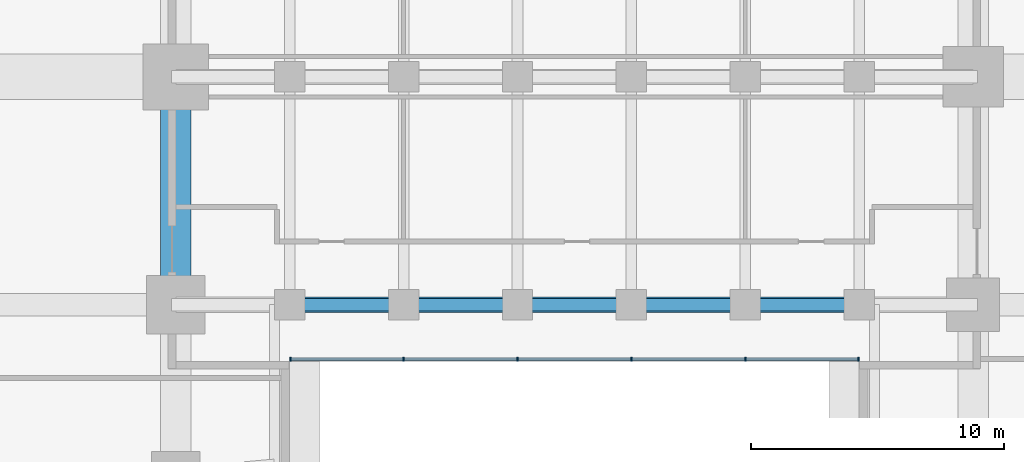
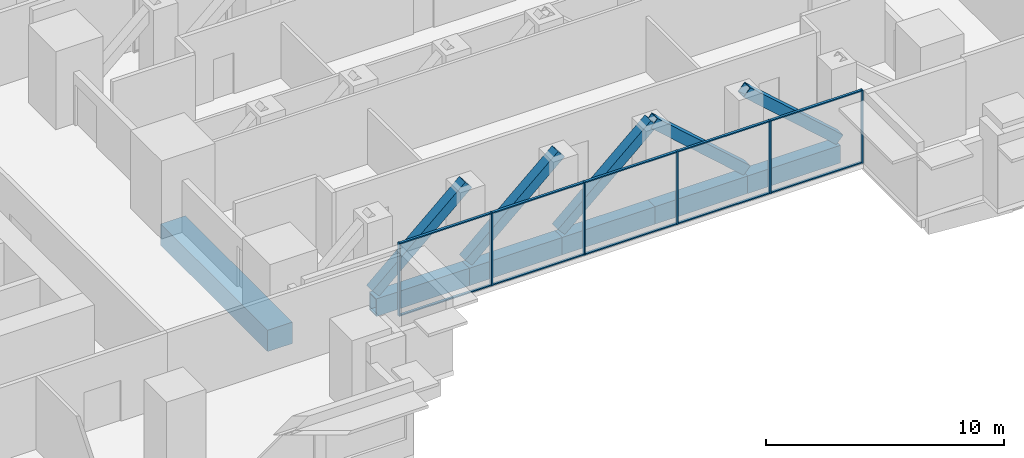
# One storey, part 2 of 16: 21 members, 6 beams, 1 element without a shape of its own.
"""IFC4 building model written with IfcOpenShell, lengths in metres."""

import ifcopenshell
import ifcopenshell.guid

model = None  # the IFC model being written
_history = None  # IfcOwnerHistory: only IFC2X3 demands one
_inside = {}  # id of a spatial element -> (the spatial element, [elements in it])
_under = {}  # id of a project, library or spatial element -> (it, [spatial elements below it])
_declared = {}  # id of a project -> (the project, [libraries it declares])
_typed = {}  # id of a type object -> (the type object, [elements of that type])
_made_of = {}  # id of a material, layer set ... -> (it, [elements and type objects made of it])


def new_model(schema):
    """Start an empty IFC model of exactly this schema.

    Asked for "IFC4X3", IfcOpenShell would pick the latest addendum, in which some entities
    have other attributes; the version numbers below select the first issue.
    IFC2X3 requires an IfcOwnerHistory on every rooted entity: one is made here for all.
    """
    global model, _history
    if schema == "IFC4X3":
        model = ifcopenshell.file(schema_version=(4, 3, 0, 0))
    else:
        model = ifcopenshell.file(schema=schema)
    _inside.clear()
    _under.clear()
    _declared.clear()
    _typed.clear()
    _made_of.clear()
    _history = None
    if model.schema == "IFC2X3":
        org = make("IfcOrganization", Name="unknown")
        user = make(
            "IfcPersonAndOrganization",
            ThePerson=make("IfcPerson", FamilyName="unknown"),
            TheOrganization=org,
        )
        app = make(
            "IfcApplication",
            ApplicationDeveloper=org,
            Version="unknown",
            ApplicationFullName="unknown",
            ApplicationIdentifier="unknown",
        )
        _history = make(
            "IfcOwnerHistory",
            OwningUser=user,
            OwningApplication=app,
            ChangeAction="ADDED",
            CreationDate=0,
        )
    return model


def make(cls, **values):
    """One entity of the class cls with the attributes given. An attribute that is None is left unset."""
    return model.create_entity(
        cls, **{name: value for name, value in values.items() if value is not None}
    )


def rooted(cls, **values):
    """An entity with a GlobalId (a new one), such as an element, a storey or a relation."""
    return make(cls, GlobalId=ifcopenshell.guid.new(), OwnerHistory=_history, **values)


def si_unit(unit_type, name, prefix=None):
    """IfcSIUnit, for example si_unit("LENGTHUNIT", "METRE", prefix="MILLI")."""
    return make("IfcSIUnit", UnitType=unit_type, Prefix=prefix, Name=name)


def assignment(units):
    """IfcUnitAssignment: the units of a project."""
    return None if units is None else make("IfcUnitAssignment", Units=units)


def point(xyz):
    """IfcCartesianPoint."""
    return None if xyz is None else make("IfcCartesianPoint", Coordinates=xyz)


def direction(xyz):
    """IfcDirection."""
    return None if xyz is None else make("IfcDirection", DirectionRatios=xyz)


def frame(location, z_axis=None, x_axis=None):
    """IfcAxis2Placement3D, a coordinate frame: its origin and axes. An axis left out is left unset."""
    return make(
        "IfcAxis2Placement3D",
        Location=point(location),
        Axis=direction(z_axis),
        RefDirection=direction(x_axis),
    )


def frame_2d(location, x_axis=None):
    """IfcAxis2Placement2D, a coordinate frame in the plane: its origin and x axis."""
    return make(
        "IfcAxis2Placement2D", Location=point(location), RefDirection=direction(x_axis)
    )


def origin():
    """The frame at (0, 0, 0) with its axes left unset."""
    return frame((0.0, 0.0, 0.0))


def origin_2d():
    """The frame at (0, 0) in the plane with its x axis left unset."""
    return frame_2d((0.0, 0.0))


def place(relative_to, where):
    """IfcLocalPlacement: puts the frame where relative to a parent placement (None: the world)."""
    return make(
        "IfcLocalPlacement", PlacementRelTo=relative_to, RelativePlacement=where
    )


def context(
    kind, dimensions, precision=None, world=None, true_north=None, identifier=None
):
    """IfcGeometricRepresentationContext, for example the 3D "Model" context."""
    return make(
        "IfcGeometricRepresentationContext",
        ContextIdentifier=identifier,
        ContextType=kind,
        CoordinateSpaceDimension=dimensions,
        Precision=precision,
        WorldCoordinateSystem=world,
        TrueNorth=true_north,
    )


def subcontext(parent, identifier, kind, view, scale=None):
    """IfcGeometricRepresentationSubContext, for example "Body" below "Model"."""
    return make(
        "IfcGeometricRepresentationSubContext",
        ContextIdentifier=identifier,
        ContextType=kind,
        ParentContext=parent,
        TargetScale=scale,
        TargetView=view,
    )


def project(units=None, contexts=None):
    """IfcProject with its units and contexts."""
    return rooted(
        "IfcProject",
        Name="project",
        RepresentationContexts=contexts,
        UnitsInContext=assignment(units),
    )


def spatial(cls, under=None, at=None, **own):
    """A site, building, storey or space (cls), placed at a placement, below another one or the project."""
    s = rooted(cls, ObjectPlacement=at, **own)
    if under is not None:
        _under.setdefault(under.id(), (under, []))[1].append(s)
    return s


def profile(cls, at=None, kind="AREA", **sizes):
    """A parametric profile (cls). Its sizes go by their IFC names, for example OverallWidth=200.0."""
    return make(cls, ProfileType=kind, Position=at, **sizes)


def rectangle(**sizes):
    """IfcRectangleProfileDef."""
    return profile("IfcRectangleProfileDef", **sizes)


def hollow_rectangle(**sizes):
    """IfcRectangleHollowProfileDef."""
    return profile("IfcRectangleHollowProfileDef", **sizes)


def extrude(swept, where, along, depth):
    """IfcExtrudedAreaSolid: the profile swept, set in the frame where, extruded along a direction by depth."""
    return make(
        "IfcExtrudedAreaSolid",
        SweptArea=swept,
        Position=where,
        ExtrudedDirection=direction(along),
        Depth=depth,
    )


def shape(context_of_items, identifier, shape_type, items):
    """IfcShapeRepresentation: the items that make up one representation, for example the "Body"."""
    return make(
        "IfcShapeRepresentation",
        ContextOfItems=context_of_items,
        RepresentationIdentifier=identifier,
        RepresentationType=shape_type,
        Items=items,
    )


def material(Name=None, Category=None):
    """IfcMaterial."""
    return make("IfcMaterial", Name=Name, Category=Category)


def layer(
    of_material, thickness, ventilated=None, Name=None, Category=None, Priority=None
):
    """IfcMaterialLayer: one layer of a wall or slab, of a material (None: an air gap)."""
    return make(
        "IfcMaterialLayer",
        Material=of_material,
        LayerThickness=thickness,
        IsVentilated=ventilated,
        Name=Name,
        Category=Category,
        Priority=Priority,
    )


def layer_set(layers, Name=None):
    """IfcMaterialLayerSet."""
    return make("IfcMaterialLayerSet", MaterialLayers=layers, LayerSetName=Name)


def material_profile(
    of_material, cross_section, Name=None, Category=None, Priority=None
):
    """IfcMaterialProfile: a cross section and its material."""
    return make(
        "IfcMaterialProfile",
        Name=Name,
        Material=of_material,
        Profile=cross_section,
        Priority=Priority,
        Category=Category,
    )


def profile_set(profiles, Name=None, composite=None):
    """IfcMaterialProfileSet."""
    return make(
        "IfcMaterialProfileSet",
        Name=Name,
        MaterialProfiles=profiles,
        CompositeProfile=composite,
    )


def made_of(thing, what):
    """Note that an element or type object is made of a material, layer set ...; save() writes the relation."""
    if what is not None:
        _made_of.setdefault(what.id(), (what, []))[1].append(thing)
    return thing


def type_object(cls, material=None, **own):
    """A type object (cls), such as IfcWallType, which elements share."""
    return made_of(rooted(cls, **own), material)


def element(
    cls,
    number,
    at=None,
    inside=None,
    cuts=None,
    type_object=None,
    material=None,
    context=None,
    identifier="Body",
    shape_type=None,
    held_by="IfcProductDefinitionShape",
    body=None,
    shapes=None,
    **own,
):
    """One element of the class cls, such as IfcWall. Its Tag is "e" and its number.

    at: its placement. inside: the storey or other place that contains it. cuts: it is an
    opening in that element (IfcRelVoidsElement). A single representation is given by context,
    identifier, shape_type and body (its items); several are given by shapes. held_by: the class
    of the entity that holds the representations. save() writes the other relations.
    """
    e = rooted(cls, Tag="e%d" % number, ObjectPlacement=at, **own)
    if body is not None:
        shapes = [shape(context, identifier, shape_type, body)]
    if shapes is not None:
        e.Representation = make(held_by, Representations=shapes)
    if inside is not None:
        _inside.setdefault(inside.id(), (inside, []))[1].append(e)
    if cuts is not None:
        rooted(
            "IfcRelVoidsElement", RelatingBuildingElement=cuts, RelatedOpeningElement=e
        )
    if type_object is not None:
        _typed.setdefault(type_object.id(), (type_object, []))[1].append(e)
    return made_of(e, material)


def aggregate(whole, parts):
    """IfcRelAggregates: a whole, such as a stair, and the parts it consists of."""
    return rooted("IfcRelAggregates", RelatingObject=whole, RelatedObjects=parts)


def save(model, path):
    """Write the relations noted so far, then the file.

    IfcRelAggregates (storeys below a building ...), IfcRelContainedInSpatialStructure (elements
    in a storey), IfcRelDefinesByType, IfcRelAssociatesMaterial and IfcRelDeclares: one each for
    every whole, place, type object, material and project.
    """
    for whole, parts in _under.values():
        aggregate(whole, parts)
    for where, things in _inside.values():
        rooted(
            "IfcRelContainedInSpatialStructure",
            RelatedElements=things,
            RelatingStructure=where,
        )
    for kind, things in _typed.values():
        rooted("IfcRelDefinesByType", RelatedObjects=things, RelatingType=kind)
    for what, things in _made_of.values():
        rooted("IfcRelAssociatesMaterial", RelatedObjects=things, RelatingMaterial=what)
    for by, libraries in _declared.values():
        rooted("IfcRelDeclares", RelatingContext=by, RelatedDefinitions=libraries)
    model.write(path)


model = new_model("IFC4")

# Units and contexts
model_context = context("Model", 3, precision=1e-05, world=origin(), true_north=direction((0.0, 1.0)))
body_context = subcontext(model_context, "Body", "Model", "MODEL_VIEW")
ifc_project = project(units=[si_unit("LENGTHUNIT", "METRE"), si_unit("AREAUNIT", "SQUARE_METRE"), si_unit("VOLUMEUNIT", "CUBIC_METRE"), si_unit("PLANEANGLEUNIT", "RADIAN"), si_unit("MASSUNIT", "GRAM", prefix="KILO")], contexts=[model_context])

# Site, building, storey
site_placement = place(None, origin())
site = spatial("IfcSite", under=ifc_project, at=site_placement, CompositionType="ELEMENT")
building_placement = place(site_placement, origin())
building = spatial("IfcBuilding", under=site, at=building_placement, Name="Namib Vertical Campus", CompositionType="ELEMENT")
storey_placement = place(building_placement, frame((0.0, 0.0, 113.0)))
storey = spatial("IfcBuildingStorey", under=building, at=storey_placement, Name="L26", CompositionType="ELEMENT", Elevation=113.0)

# Members
ifc_material_1 = material(Name="Steel S355JR", Category="steel")
ifc_material_profile_1 = material_profile(ifc_material_1, hollow_rectangle(XDim=0.5, YDim=0.5, WallThickness=0.031982421875, at=origin_2d()))
ifc_profile_set_1 = profile_set([ifc_material_profile_1], Name="Steel S355JR")
member_type_1 = type_object("IfcMemberType", Name="Bridge end brace WB 500x500x32", PredefinedType="BRACE", material=ifc_profile_set_1)
for number, where, z_axis, x_axis, name in (
    (1, (40.5, 11.25, 0.0), (0.747409318684, 0.0, 0.66436383883), (0.0, 1.0, 0.0), "Bridge brace BX1 L26 T1 bay 2"),
    (2, (45.0, 11.25, 0.0), (0.747409318684, 0.0, 0.66436383883), (0.0, 1.0, 0.0), "Bridge brace BX1 L26 T1 bay 3"),
    (3, (49.5, 11.25, 0.0), (0.747409318684, 0.0, 0.66436383883), (0.0, 1.0, 0.0), "Bridge brace BX1 L26 T1 bay 4"),
    (4, (58.5, 11.25, 0.0), (-0.747409318684, 0.0, 0.66436383883), (0.0, -1.0, 0.0), "Bridge brace BX1 L26 T1 bay 5"),
    (5, (63.0, 11.25, 0.0), (-0.747409318684, 0.0, 0.66436383883), (0.0, -1.0, 0.0), "Bridge brace BX1 L26 T1 bay 6"),
):
    element("IfcMember", number, at=place(storey_placement, frame(where, z_axis=z_axis, x_axis=x_axis)), inside=storey, type_object=member_type_1, Name=name, PredefinedType="BRACE", context=body_context, shape_type="SweptSolid", body=[
        extrude(hollow_rectangle(XDim=0.5, YDim=0.5, WallThickness=0.031982421875, at=origin_2d()), origin(), (0.0, 0.0, 1.0), 6.020751953125),
    ])

# Beams
ifc_material_2 = material(Name="Steel S355JR", Category="steel")
ifc_material_profile_2 = material_profile(ifc_material_2, hollow_rectangle(XDim=0.60009765625, YDim=0.89990234375, WallThickness=0.050048828125, at=origin_2d()))
ifc_profile_set_2 = profile_set([ifc_material_profile_2], Name="Steel S355JR")
beam_type_1 = type_object("IfcBeamType", Name="Bridge girder WB 900x600x50", PredefinedType="BEAM", material=ifc_profile_set_2)
for number, where, z_axis, x_axis, name in (
    (6, (40.5, 11.25, -0.699951171875), (1.0, 0.0, 0.0), (0.0, 1.0, 0.0), "Bridge girder BG1 L26"),
    (7, (45.0, 11.25, -0.699951171875), (1.0, 0.0, 0.0), (0.0, 1.0, 0.0), "Bridge girder BG1 L26"),
    (8, (49.5, 11.25, -0.699951171875), (1.0, 0.0, 0.0), (0.0, 1.0, 0.0), "Bridge girder BG1 L26"),
    (9, (54.0, 11.25, -0.699951171875), (1.0, 0.0, 0.0), (0.0, 1.0, 0.0), "Bridge girder BG1 L26"),
    (10, (58.5, 11.25, -0.699951171875), (1.0, 0.0, 0.0), (0.0, 1.0, 0.0), "Bridge girder BG1 L26"),
):
    element("IfcBeam", number, at=place(storey_placement, frame(where, z_axis=z_axis, x_axis=x_axis)), inside=storey, type_object=beam_type_1, Name=name, PredefinedType="BEAM", context=body_context, shape_type="SweptSolid", body=[
        extrude(hollow_rectangle(XDim=0.60009765625, YDim=0.89990234375, WallThickness=0.050048828125, at=origin_2d()), origin(), (0.0, 0.0, 1.0), 4.5),
    ])

# Curtain wall, members
ifc_material_3 = material(Name="Black aluminium curtain wall", Category="aluminium")
ifc_layer = layer(ifc_material_3, 0.199951171875)
ifc_layer_set = layer_set([ifc_layer], Name="Bridge curtain wall CW-BR")
curtain_wall_type = type_object("IfcCurtainWallType", Name="Bridge curtain wall CW-BR", PredefinedType="USERDEFINED", material=ifc_layer_set)
curtain_wall_placement = place(storey_placement, origin())
curtain_wall = element("IfcCurtainWall", 11, at=curtain_wall_placement, inside=storey, type_object=curtain_wall_type, Name="Curtain wall CW-BR L26 S", ObjectType="CURTAIN WALL", PredefinedType="USERDEFINED")
ifc_material_4 = material(Name="Black anodised aluminium", Category="aluminium")
ifc_material_profile_3 = material_profile(ifc_material_4, rectangle(XDim=0.06005859375, YDim=0.159912109375, at=origin_2d()))
ifc_profile_set_3 = profile_set([ifc_material_profile_3], Name="Black anodised aluminium")
member_type_2 = type_object("IfcMemberType", Name="Curtain wall mullion 60x160", PredefinedType="MULLION", material=ifc_profile_set_3)
member_1_placement = place(storey_placement, frame((40.530029296875, 9.10009765625, 0.0), z_axis=(0.0, 0.0, 1.0), x_axis=(1.0, 0.0, 0.0)))
member_1 = element("IfcMember", 12, at=member_1_placement, type_object=member_type_2, Name="CW-BR mullion 1", PredefinedType="MULLION", context=body_context, shape_type="SweptSolid", body=[
    extrude(rectangle(XDim=0.06005859375, YDim=0.159912109375, at=origin_2d()), origin(), (0.0, 0.0, 1.0), 3.75),
])
member_2_placement = place(storey_placement, frame((45.0, 9.10009765625, 0.0), z_axis=(0.0, 0.0, 1.0), x_axis=(1.0, 0.0, 0.0)))
member_2 = element("IfcMember", 13, at=member_2_placement, type_object=member_type_2, Name="CW-BR mullion 2", PredefinedType="MULLION", context=body_context, shape_type="SweptSolid", body=[
    extrude(rectangle(XDim=0.06005859375, YDim=0.159912109375, at=origin_2d()), origin(), (0.0, 0.0, 1.0), 3.75),
])
member_3_placement = place(storey_placement, frame((49.5, 9.10009765625, 0.0), z_axis=(0.0, 0.0, 1.0), x_axis=(1.0, 0.0, 0.0)))
member_3 = element("IfcMember", 14, at=member_3_placement, type_object=member_type_2, Name="CW-BR mullion 3", PredefinedType="MULLION", context=body_context, shape_type="SweptSolid", body=[
    extrude(rectangle(XDim=0.06005859375, YDim=0.159912109375, at=origin_2d()), origin(), (0.0, 0.0, 1.0), 3.75),
])
member_4_placement = place(storey_placement, frame((54.0, 9.10009765625, 0.0), z_axis=(0.0, 0.0, 1.0), x_axis=(1.0, 0.0, 0.0)))
member_4 = element("IfcMember", 15, at=member_4_placement, type_object=member_type_2, Name="CW-BR mullion 4", PredefinedType="MULLION", context=body_context, shape_type="SweptSolid", body=[
    extrude(rectangle(XDim=0.06005859375, YDim=0.159912109375, at=origin_2d()), origin(), (0.0, 0.0, 1.0), 3.75),
])
member_5_placement = place(storey_placement, frame((58.5, 9.10009765625, 0.0), z_axis=(0.0, 0.0, 1.0), x_axis=(1.0, 0.0, 0.0)))
member_5 = element("IfcMember", 16, at=member_5_placement, type_object=member_type_2, Name="CW-BR mullion 5", PredefinedType="MULLION", context=body_context, shape_type="SweptSolid", body=[
    extrude(rectangle(XDim=0.06005859375, YDim=0.159912109375, at=origin_2d()), origin(), (0.0, 0.0, 1.0), 3.75),
])
member_6_placement = place(storey_placement, frame((62.969970703125, 9.10009765625, 0.0), z_axis=(0.0, 0.0, 1.0), x_axis=(1.0, 0.0, 0.0)))
member_6 = element("IfcMember", 17, at=member_6_placement, type_object=member_type_2, Name="CW-BR mullion 6", PredefinedType="MULLION", context=body_context, shape_type="SweptSolid", body=[
    extrude(rectangle(XDim=0.06005859375, YDim=0.159912109375, at=origin_2d()), origin(), (0.0, 0.0, 1.0), 3.75),
])
ifc_material_5 = material(Name="Black anodised aluminium", Category="aluminium")
ifc_material_profile_4 = material_profile(ifc_material_5, rectangle(XDim=0.06005859375, YDim=0.1201171875, at=origin_2d()))
ifc_profile_set_4 = profile_set([ifc_material_profile_4], Name="Black anodised aluminium")
member_type_3 = type_object("IfcMemberType", Name="Curtain wall transom 60x120", PredefinedType="USERDEFINED", material=ifc_profile_set_4)
member_7_placement = place(storey_placement, frame((40.56005859375, 9.10009765625, 0.030029296875), z_axis=(1.0, 0.0, 0.0), x_axis=(0.0, 0.0, 1.0)))
member_7 = element("IfcMember", 18, at=member_7_placement, type_object=member_type_3, Name="CW-BR transom 1.1", ObjectType="TRANSOM", PredefinedType="USERDEFINED", context=body_context, shape_type="SweptSolid", body=[
    extrude(rectangle(XDim=0.06005859375, YDim=0.1201171875, at=origin_2d()), origin(), (0.0, 0.0, 1.0), 4.409912109375),
])
member_8_placement = place(storey_placement, frame((40.56005859375, 9.10009765625, 3.719970703125), z_axis=(1.0, 0.0, 0.0), x_axis=(0.0, 0.0, 1.0)))
member_8 = element("IfcMember", 19, at=member_8_placement, type_object=member_type_3, Name="CW-BR transom 1.2", ObjectType="TRANSOM", PredefinedType="USERDEFINED", context=body_context, shape_type="SweptSolid", body=[
    extrude(rectangle(XDim=0.06005859375, YDim=0.1201171875, at=origin_2d()), origin(), (0.0, 0.0, 1.0), 4.409912109375),
])
member_9_placement = place(storey_placement, frame((45.030029296875, 9.10009765625, 0.030029296875), z_axis=(1.0, 0.0, 0.0), x_axis=(0.0, 0.0, 1.0)))
member_9 = element("IfcMember", 20, at=member_9_placement, type_object=member_type_3, Name="CW-BR transom 2.1", ObjectType="TRANSOM", PredefinedType="USERDEFINED", context=body_context, shape_type="SweptSolid", body=[
    extrude(rectangle(XDim=0.06005859375, YDim=0.1201171875, at=origin_2d()), origin(), (0.0, 0.0, 1.0), 4.43994140625),
])
member_10_placement = place(storey_placement, frame((45.030029296875, 9.10009765625, 3.719970703125), z_axis=(1.0, 0.0, 0.0), x_axis=(0.0, 0.0, 1.0)))
member_10 = element("IfcMember", 21, at=member_10_placement, type_object=member_type_3, Name="CW-BR transom 2.2", ObjectType="TRANSOM", PredefinedType="USERDEFINED", context=body_context, shape_type="SweptSolid", body=[
    extrude(rectangle(XDim=0.06005859375, YDim=0.1201171875, at=origin_2d()), origin(), (0.0, 0.0, 1.0), 4.43994140625),
])
member_11_placement = place(storey_placement, frame((49.530029296875, 9.10009765625, 0.030029296875), z_axis=(1.0, 0.0, 0.0), x_axis=(0.0, 0.0, 1.0)))
member_11 = element("IfcMember", 22, at=member_11_placement, type_object=member_type_3, Name="CW-BR transom 3.1", ObjectType="TRANSOM", PredefinedType="USERDEFINED", context=body_context, shape_type="SweptSolid", body=[
    extrude(rectangle(XDim=0.06005859375, YDim=0.1201171875, at=origin_2d()), origin(), (0.0, 0.0, 1.0), 4.43994140625),
])
member_12_placement = place(storey_placement, frame((49.530029296875, 9.10009765625, 3.719970703125), z_axis=(1.0, 0.0, 0.0), x_axis=(0.0, 0.0, 1.0)))
member_12 = element("IfcMember", 23, at=member_12_placement, type_object=member_type_3, Name="CW-BR transom 3.2", ObjectType="TRANSOM", PredefinedType="USERDEFINED", context=body_context, shape_type="SweptSolid", body=[
    extrude(rectangle(XDim=0.06005859375, YDim=0.1201171875, at=origin_2d()), origin(), (0.0, 0.0, 1.0), 4.43994140625),
])
member_13_placement = place(storey_placement, frame((54.030029296875, 9.10009765625, 0.030029296875), z_axis=(1.0, 0.0, 0.0), x_axis=(0.0, 0.0, 1.0)))
member_13 = element("IfcMember", 24, at=member_13_placement, type_object=member_type_3, Name="CW-BR transom 4.1", ObjectType="TRANSOM", PredefinedType="USERDEFINED", context=body_context, shape_type="SweptSolid", body=[
    extrude(rectangle(XDim=0.06005859375, YDim=0.1201171875, at=origin_2d()), origin(), (0.0, 0.0, 1.0), 4.43994140625),
])
member_14_placement = place(storey_placement, frame((54.030029296875, 9.10009765625, 3.719970703125), z_axis=(1.0, 0.0, 0.0), x_axis=(0.0, 0.0, 1.0)))
member_14 = element("IfcMember", 25, at=member_14_placement, type_object=member_type_3, Name="CW-BR transom 4.2", ObjectType="TRANSOM", PredefinedType="USERDEFINED", context=body_context, shape_type="SweptSolid", body=[
    extrude(rectangle(XDim=0.06005859375, YDim=0.1201171875, at=origin_2d()), origin(), (0.0, 0.0, 1.0), 4.43994140625),
])
member_15_placement = place(storey_placement, frame((58.530029296875, 9.10009765625, 0.030029296875), z_axis=(1.0, 0.0, 0.0), x_axis=(0.0, 0.0, 1.0)))
member_15 = element("IfcMember", 26, at=member_15_placement, type_object=member_type_3, Name="CW-BR transom 5.1", ObjectType="TRANSOM", PredefinedType="USERDEFINED", context=body_context, shape_type="SweptSolid", body=[
    extrude(rectangle(XDim=0.06005859375, YDim=0.1201171875, at=origin_2d()), origin(), (0.0, 0.0, 1.0), 4.409912109375),
])
member_16_placement = place(storey_placement, frame((58.530029296875, 9.10009765625, 3.719970703125), z_axis=(1.0, 0.0, 0.0), x_axis=(0.0, 0.0, 1.0)))
member_16 = element("IfcMember", 27, at=member_16_placement, type_object=member_type_3, Name="CW-BR transom 5.2", ObjectType="TRANSOM", PredefinedType="USERDEFINED", context=body_context, shape_type="SweptSolid", body=[
    extrude(rectangle(XDim=0.06005859375, YDim=0.1201171875, at=origin_2d()), origin(), (0.0, 0.0, 1.0), 4.409912109375),
])
aggregate(curtain_wall, [member_1, member_2, member_3, member_4, member_5, member_6, member_7, member_8, member_9, member_10, member_11, member_12, member_13, member_14, member_15, member_16])

# Beam
ifc_material_6 = material(Name="Concrete C40/50", Category="concrete")
ifc_material_profile_5 = material_profile(ifc_material_6, rectangle(XDim=1.199951171875, YDim=1.10009765625, at=origin_2d()))
ifc_profile_set_5 = profile_set([ifc_material_profile_5], Name="Concrete C40/50")
beam_type_2 = type_object("IfcBeamType", Name="Face ring beam RC 1200x1100", PredefinedType="BEAM", material=ifc_profile_set_5)
beam_placement = place(storey_placement, frame((36.0, 11.25, -0.800048828125), z_axis=(0.0, 1.0, 0.0), x_axis=(-1.0, 0.0, 0.0)))
element("IfcBeam", 28, at=beam_placement, inside=storey, type_object=beam_type_2, Name="Beam B11 L26", PredefinedType="BEAM", context=body_context, shape_type="SweptSolid", body=[
    extrude(rectangle(XDim=1.199951171875, YDim=1.10009765625, at=origin_2d()), origin(), (0.0, 0.0, 1.0), 9.0),
])

save(model, "model.ifc")
